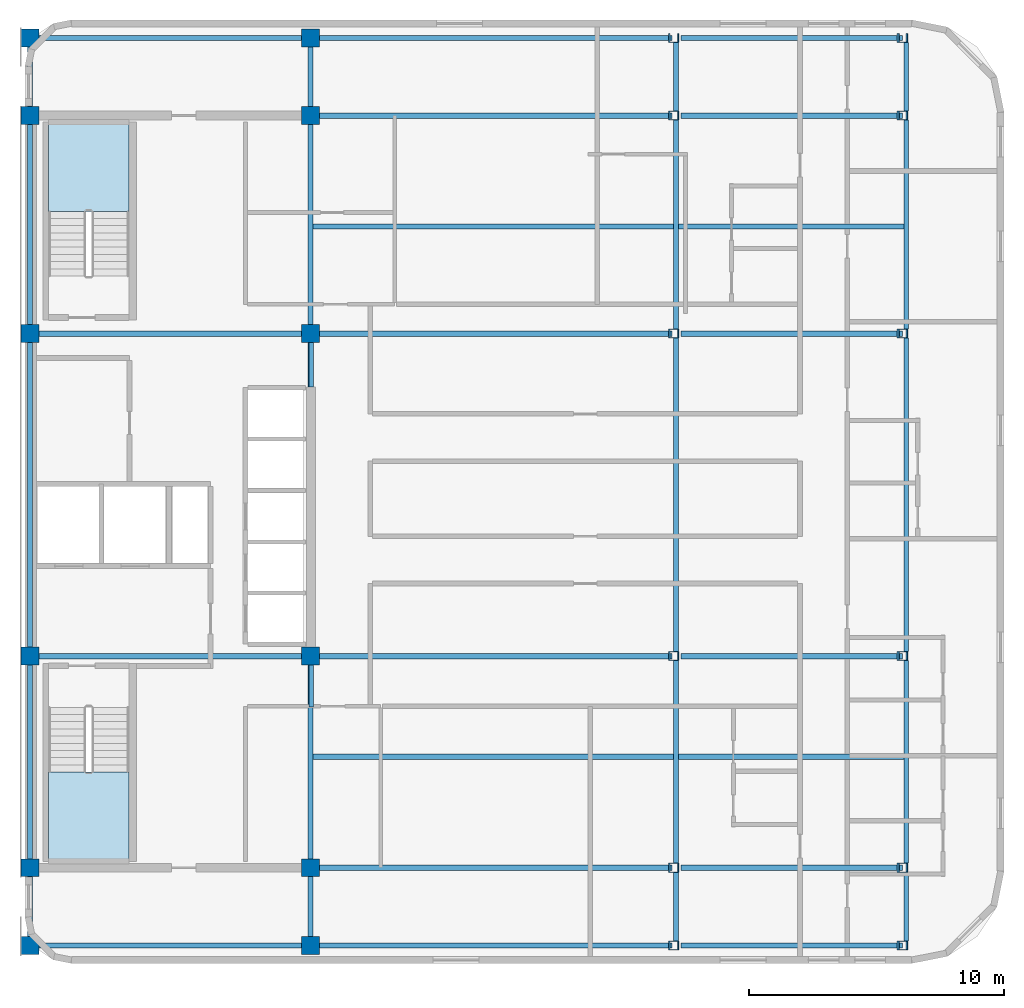
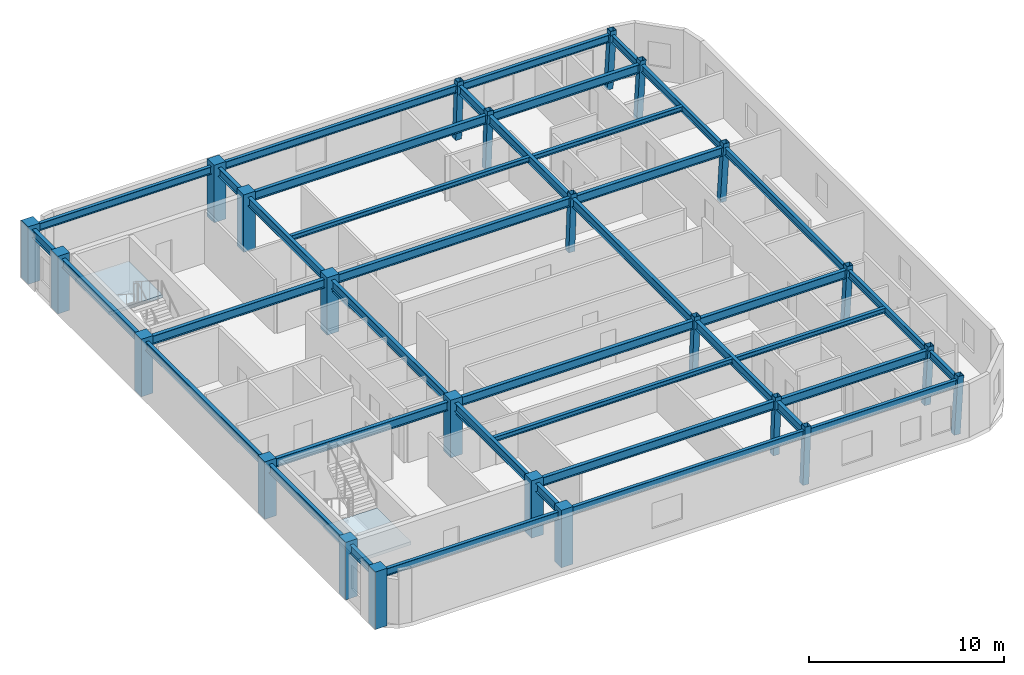
# One storey, part 1 of 6: 42 beams, 24 columns, 2 slabs, 2 elements without a shape of their own.
"""IFC4 building model written with IfcOpenShell, lengths in metres."""

from ifc_helpers import new_model, si_unit, direction, frame, origin, origin_2d, place, context, subcontext, project, spatial, polyline, rectangle, hollow_rectangle, i_section, outline, extrude, material, layer, layer_set, material_profile, profile_set, type_object, element, aggregate, save


model = new_model("IFC4")

# Units and contexts
model_context = context("Model", 3, precision=1e-05, world=origin(), true_north=direction((0.0, 1.0)))
body_context = subcontext(model_context, "Body", "Model", "MODEL_VIEW")
ifc_project = project(units=[si_unit("LENGTHUNIT", "METRE"), si_unit("AREAUNIT", "SQUARE_METRE"), si_unit("VOLUMEUNIT", "CUBIC_METRE"), si_unit("PLANEANGLEUNIT", "RADIAN"), si_unit("MASSUNIT", "GRAM", prefix="KILO")], contexts=[model_context])

# Site, building, storey
site_placement = place(None, origin())
site = spatial("IfcSite", under=ifc_project, at=site_placement, CompositionType="ELEMENT")
building_placement = place(site_placement, origin())
building = spatial("IfcBuilding", under=site, at=building_placement, Name="Ochreholt Gables", CompositionType="ELEMENT")
storey_placement = place(building_placement, frame((0.0, 0.0, 271.199951171875)))
storey = spatial("IfcBuildingStorey", under=building, at=storey_placement, Name="L71", CompositionType="ELEMENT", Elevation=271.199951171875)

# Columns
ifc_material_1 = material(Name="Steel CSA G40.21 350W", Category="steel")
ifc_material_profile_1 = material_profile(ifc_material_1, hollow_rectangle(XDim=0.35595703125, YDim=0.35595703125, WallThickness=0.01611328125, at=origin_2d()), Name="HSS356X356X16")
ifc_profile_set_1 = profile_set([ifc_material_profile_1], Name="Steel CSA G40.21 350W")
column_type_1 = type_object("IfcColumnType", Name="COL-HSS356-RAK", PredefinedType="COLUMN", material=ifc_profile_set_1)
for number, where, z_axis, x_axis, name in (
    (1, (49.427978515625, 9.25, 0.0), (0.034971136209, 0.0, 0.999388322742), (0.0, 1.0, 0.0), "L71 Column EMY2"),
    (2, (49.427978515625, 17.550048828125, 0.0), (0.034971136209, 0.0, 0.999388322742), (0.0, 1.0, 0.0), "L71 Column EMY3"),
    (3, (49.427978515625, 30.199951171875, 0.0), (0.034971136209, 0.0, 0.999388322742), (0.0, 1.0, 0.0), "L71 Column EMY4"),
    (4, (49.427978515625, 38.75, 0.0), (0.034971136209, 0.0, 0.999388322742), (0.0, 1.0, 0.0), "L71 Column EMY5"),
):
    element("IfcColumn", number, at=place(storey_placement, frame(where, z_axis=z_axis, x_axis=x_axis)), inside=storey, type_object=column_type_1, Name=name, PredefinedType="COLUMN", context=body_context, shape_type="SweptSolid", body=[
        extrude(hollow_rectangle(XDim=0.35595703125, YDim=0.35595703125, WallThickness=0.01611328125, at=origin_2d()), origin(), (0.0, 0.0, 1.0), 3.602294921875),
    ])
ifc_material_profile_2 = material_profile(ifc_material_1, hollow_rectangle(XDim=0.35595703125, YDim=0.35595703125, WallThickness=0.01611328125, at=origin_2d()), Name="HSS356X356X16")
ifc_profile_set_2 = profile_set([ifc_material_profile_2], Name="Steel CSA G40.21 350W")
column_type_2 = type_object("IfcColumnType", Name="COL-HSS356-RAKE", PredefinedType="COLUMN", material=ifc_profile_set_2)
for number, where, z_axis, x_axis, name in (
    (5, (49.427978515625, 6.199951171875, 0.0), (0.034971136209, 0.0, 0.999388322742), (0.0, 1.0, 0.0), "L71 Column EMY1"),
    (6, (49.427978515625, 41.800048828125, 0.0), (0.034971136209, 0.0, 0.999388322742), (0.0, 1.0, 0.0), "L71 Column EMY6"),
):
    element("IfcColumn", number, at=place(storey_placement, frame(where, z_axis=z_axis, x_axis=x_axis)), inside=storey, type_object=column_type_2, Name=name, PredefinedType="COLUMN", context=body_context, shape_type="SweptSolid", body=[
        extrude(hollow_rectangle(XDim=0.35595703125, YDim=0.35595703125, WallThickness=0.01611328125, at=origin_2d()), origin(), (0.0, 0.0, 1.0), 3.602294921875),
    ])
for number, where, z_axis, x_axis, name in (
    (7, (58.386474609375, 6.199951171875, 0.0), (0.057884606321, 0.0, 0.998323280481), (0.0, 1.0, 0.0), "L71 Column EEY1"),
    (8, (58.386474609375, 9.25, 0.0), (0.057884606321, 0.0, 0.998323280481), (0.0, 1.0, 0.0), "L71 Column EEY2"),
    (9, (58.386474609375, 17.550048828125, 0.0), (0.057884606321, 0.0, 0.998323280481), (0.0, 1.0, 0.0), "L71 Column EEY3"),
    (10, (58.386474609375, 30.199951171875, 0.0), (0.057884606321, 0.0, 0.998323280481), (0.0, 1.0, 0.0), "L71 Column EEY4"),
    (11, (58.386474609375, 38.75, 0.0), (0.057884606321, 0.0, 0.998323280481), (0.0, 1.0, 0.0), "L71 Column EEY5"),
    (12, (58.386474609375, 41.800048828125, 0.0), (0.057884606321, 0.0, 0.998323280481), (0.0, 1.0, 0.0), "L71 Column EEY6"),
):
    element("IfcColumn", number, at=place(storey_placement, frame(where, z_axis=z_axis, x_axis=x_axis)), inside=storey, type_object=column_type_2, Name=name, PredefinedType="COLUMN", context=body_context, shape_type="SweptSolid", body=[
        extrude(hollow_rectangle(XDim=0.35595703125, YDim=0.35595703125, WallThickness=0.01611328125, at=origin_2d()), origin(), (0.0, 0.0, 1.0), 3.606201171875),
    ])
ifc_material_2 = material(Name="Concrete 50 MPa", Category="concrete")
ifc_material_profile_3 = material_profile(ifc_material_2, rectangle(XDim=0.699951171875, YDim=0.699951171875, at=origin_2d()), Name="RC700X700")
ifc_profile_set_3 = profile_set([ifc_material_profile_3], Name="Concrete 50 MPa")
column_type_3 = type_object("IfcColumnType", Name="COL-RC700-EXT", PredefinedType="COLUMN", material=ifc_profile_set_3)
for number, where, z_axis, x_axis, name in (
    (13, (24.199951171875, 6.199951171875, 0.0), (0.0, 0.0, 1.0), (1.0, 0.0, 0.0), "L71 Column C1Y1"),
    (14, (24.199951171875, 9.25, 0.0), (0.0, 0.0, 1.0), (1.0, 0.0, 0.0), "L71 Column C1Y2"),
    (15, (24.199951171875, 17.550048828125, 0.0), (0.0, 0.0, 1.0), (1.0, 0.0, 0.0), "L71 Column C1Y3"),
    (16, (24.199951171875, 30.199951171875, 0.0), (0.0, 0.0, 1.0), (1.0, 0.0, 0.0), "L71 Column C1Y4"),
    (17, (24.199951171875, 38.75, 0.0), (0.0, 0.0, 1.0), (1.0, 0.0, 0.0), "L71 Column C1Y5"),
    (18, (24.199951171875, 41.800048828125, 0.0), (0.0, 0.0, 1.0), (1.0, 0.0, 0.0), "L71 Column C1Y6"),
    (19, (35.199951171875, 6.199951171875, 0.0), (0.0, 0.0, 1.0), (1.0, 0.0, 0.0), "L71 Column C2Y1"),
    (20, (35.199951171875, 41.800048828125, 0.0), (0.0, 0.0, 1.0), (1.0, 0.0, 0.0), "L71 Column C2Y6"),
):
    element("IfcColumn", number, at=place(storey_placement, frame(where, z_axis=z_axis, x_axis=x_axis)), inside=storey, type_object=column_type_3, Name=name, PredefinedType="COLUMN", context=body_context, shape_type="SweptSolid", body=[
        extrude(rectangle(XDim=0.699951171875, YDim=0.699951171875, at=origin_2d()), origin(), (0.0, 0.0, 1.0), 3.60009765625),
    ])
ifc_material_profile_4 = material_profile(ifc_material_2, rectangle(XDim=0.699951171875, YDim=0.699951171875, at=origin_2d()), Name="RC700X700")
ifc_profile_set_4 = profile_set([ifc_material_profile_4], Name="Concrete 50 MPa")
column_type_4 = type_object("IfcColumnType", Name="COL-RC700-INT", PredefinedType="COLUMN", material=ifc_profile_set_4)
for number, where, z_axis, x_axis, name in (
    (21, (35.199951171875, 9.25, 0.0), (0.0, 0.0, 1.0), (1.0, 0.0, 0.0), "L71 Column C2Y2"),
    (22, (35.199951171875, 17.550048828125, 0.0), (0.0, 0.0, 1.0), (1.0, 0.0, 0.0), "L71 Column C2Y3"),
    (23, (35.199951171875, 30.199951171875, 0.0), (0.0, 0.0, 1.0), (1.0, 0.0, 0.0), "L71 Column C2Y4"),
    (24, (35.199951171875, 38.75, 0.0), (0.0, 0.0, 1.0), (1.0, 0.0, 0.0), "L71 Column C2Y5"),
):
    element("IfcColumn", number, at=place(storey_placement, frame(where, z_axis=z_axis, x_axis=x_axis)), inside=storey, type_object=column_type_4, Name=name, PredefinedType="COLUMN", context=body_context, shape_type="SweptSolid", body=[
        extrude(rectangle(XDim=0.699951171875, YDim=0.699951171875, at=origin_2d()), origin(), (0.0, 0.0, 1.0), 3.60009765625),
    ])

# Beams
ifc_material_profile_5 = material_profile(ifc_material_1, i_section(OverallWidth=0.2109375, OverallDepth=0.5390625, WebThickness=0.01171875, FlangeThickness=0.018798828125, at=origin_2d()), Name="W530X109")
ifc_profile_set_5 = profile_set([ifc_material_profile_5], Name="Steel CSA G40.21 350W")
beam_type_1 = type_object("IfcBeamType", Name="BM-G-W530A", PredefinedType="BEAM", material=ifc_profile_set_5)
beam_1_placement = place(storey_placement, frame((35.549560546875, 9.25, 3.090576171875), z_axis=(1.0, 0.0, 0.0), x_axis=(0.0, 1.0, 0.0)))
element("IfcBeam", 25, at=beam_1_placement, inside=storey, type_object=beam_type_1, Name="L71 Beam TBG-L71-C2EM-Y2", PredefinedType="BEAM", context=body_context, shape_type="SweptSolid", body=[
    extrude(i_section(OverallWidth=0.2109375, OverallDepth=0.5390625, WebThickness=0.01171875, FlangeThickness=0.018798828125, at=origin_2d()), origin(), (0.0, 0.0, 1.0), 13.826904296875),
])
beam_2_placement = place(storey_placement, frame((49.731689453125, 9.25, 3.090576171875), z_axis=(1.0, 0.0, 0.0), x_axis=(0.0, 1.0, 0.0)))
element("IfcBeam", 26, at=beam_2_placement, inside=storey, type_object=beam_type_1, Name="L71 Beam TBG-L71-EMEE-Y2", PredefinedType="BEAM", context=body_context, shape_type="SweptSolid", body=[
    extrude(i_section(OverallWidth=0.2109375, OverallDepth=0.5390625, WebThickness=0.01171875, FlangeThickness=0.018798828125, at=origin_2d()), origin(), (0.0, 0.0, 1.0), 8.685791015625),
])
beam_3_placement = place(storey_placement, frame((24.549560546875, 17.550048828125, 3.090576171875), z_axis=(1.0, 0.0, 0.0), x_axis=(0.0, 1.0, 0.0)))
element("IfcBeam", 27, at=beam_3_placement, inside=storey, type_object=beam_type_1, Name="L71 Beam TBG-L71-C1C2-Y3", PredefinedType="BEAM", context=body_context, shape_type="SweptSolid", body=[
    extrude(i_section(OverallWidth=0.2109375, OverallDepth=0.5390625, WebThickness=0.01171875, FlangeThickness=0.018798828125, at=origin_2d()), origin(), (0.0, 0.0, 1.0), 10.30078125),
])
beam_4_placement = place(storey_placement, frame((35.549560546875, 17.550048828125, 3.090576171875), z_axis=(1.0, 0.0, 0.0), x_axis=(0.0, 1.0, 0.0)))
element("IfcBeam", 28, at=beam_4_placement, inside=storey, type_object=beam_type_1, Name="L71 Beam TBG-L71-C2EM-Y3", PredefinedType="BEAM", context=body_context, shape_type="SweptSolid", body=[
    extrude(i_section(OverallWidth=0.2109375, OverallDepth=0.5390625, WebThickness=0.01171875, FlangeThickness=0.018798828125, at=origin_2d()), origin(), (0.0, 0.0, 1.0), 13.826904296875),
])
beam_5_placement = place(storey_placement, frame((49.731689453125, 17.550048828125, 3.090576171875), z_axis=(1.0, 0.0, 0.0), x_axis=(0.0, 1.0, 0.0)))
element("IfcBeam", 29, at=beam_5_placement, inside=storey, type_object=beam_type_1, Name="L71 Beam TBG-L71-EMEE-Y3", PredefinedType="BEAM", context=body_context, shape_type="SweptSolid", body=[
    extrude(i_section(OverallWidth=0.2109375, OverallDepth=0.5390625, WebThickness=0.01171875, FlangeThickness=0.018798828125, at=origin_2d()), origin(), (0.0, 0.0, 1.0), 8.685791015625),
])
beam_6_placement = place(storey_placement, frame((24.549560546875, 30.199951171875, 3.090576171875), z_axis=(1.0, 0.0, 0.0), x_axis=(0.0, 1.0, 0.0)))
element("IfcBeam", 30, at=beam_6_placement, inside=storey, type_object=beam_type_1, Name="L71 Beam TBG-L71-C1C2-Y4", PredefinedType="BEAM", context=body_context, shape_type="SweptSolid", body=[
    extrude(i_section(OverallWidth=0.2109375, OverallDepth=0.5390625, WebThickness=0.01171875, FlangeThickness=0.018798828125, at=origin_2d()), origin(), (0.0, 0.0, 1.0), 10.30078125),
])
beam_7_placement = place(storey_placement, frame((35.549560546875, 30.199951171875, 3.090576171875), z_axis=(1.0, 0.0, 0.0), x_axis=(0.0, 1.0, 0.0)))
element("IfcBeam", 31, at=beam_7_placement, inside=storey, type_object=beam_type_1, Name="L71 Beam TBG-L71-C2EM-Y4", PredefinedType="BEAM", context=body_context, shape_type="SweptSolid", body=[
    extrude(i_section(OverallWidth=0.2109375, OverallDepth=0.5390625, WebThickness=0.01171875, FlangeThickness=0.018798828125, at=origin_2d()), origin(), (0.0, 0.0, 1.0), 13.826904296875),
])
beam_8_placement = place(storey_placement, frame((49.731689453125, 30.199951171875, 3.090576171875), z_axis=(1.0, 0.0, 0.0), x_axis=(0.0, 1.0, 0.0)))
element("IfcBeam", 32, at=beam_8_placement, inside=storey, type_object=beam_type_1, Name="L71 Beam TBG-L71-EMEE-Y4", PredefinedType="BEAM", context=body_context, shape_type="SweptSolid", body=[
    extrude(i_section(OverallWidth=0.2109375, OverallDepth=0.5390625, WebThickness=0.01171875, FlangeThickness=0.018798828125, at=origin_2d()), origin(), (0.0, 0.0, 1.0), 8.685791015625),
])
beam_9_placement = place(storey_placement, frame((35.549560546875, 38.75, 3.090576171875), z_axis=(1.0, 0.0, 0.0), x_axis=(0.0, 1.0, 0.0)))
element("IfcBeam", 33, at=beam_9_placement, inside=storey, type_object=beam_type_1, Name="L71 Beam TBG-L71-C2EM-Y5", PredefinedType="BEAM", context=body_context, shape_type="SweptSolid", body=[
    extrude(i_section(OverallWidth=0.2109375, OverallDepth=0.5390625, WebThickness=0.01171875, FlangeThickness=0.018798828125, at=origin_2d()), origin(), (0.0, 0.0, 1.0), 13.826904296875),
])
beam_10_placement = place(storey_placement, frame((49.731689453125, 38.75, 3.090576171875), z_axis=(1.0, 0.0, 0.0), x_axis=(0.0, 1.0, 0.0)))
element("IfcBeam", 34, at=beam_10_placement, inside=storey, type_object=beam_type_1, Name="L71 Beam TBG-L71-EMEE-Y5", PredefinedType="BEAM", context=body_context, shape_type="SweptSolid", body=[
    extrude(i_section(OverallWidth=0.2109375, OverallDepth=0.5390625, WebThickness=0.01171875, FlangeThickness=0.018798828125, at=origin_2d()), origin(), (0.0, 0.0, 1.0), 8.685791015625),
])
beam_11_placement = place(storey_placement, frame((24.199951171875, 6.549560546875, 3.090576171875), z_axis=(0.0, 1.0, 0.0), x_axis=(-1.0, 0.0, 0.0)))
element("IfcBeam", 35, at=beam_11_placement, inside=storey, type_object=beam_type_1, Name="L71 Beam TBN-L71-C1-Y1Y2", PredefinedType="BEAM", context=body_context, shape_type="SweptSolid", body=[
    extrude(i_section(OverallWidth=0.2109375, OverallDepth=0.5390625, WebThickness=0.01171875, FlangeThickness=0.018798828125, at=origin_2d()), origin(), (0.0, 0.0, 1.0), 2.350830078125),
])
beam_12_placement = place(storey_placement, frame((24.199951171875, 9.599609375, 3.090576171875), z_axis=(0.0, 1.0, 0.0), x_axis=(-1.0, 0.0, 0.0)))
element("IfcBeam", 36, at=beam_12_placement, inside=storey, type_object=beam_type_1, Name="L71 Beam TBN-L71-C1-Y2Y3", PredefinedType="BEAM", context=body_context, shape_type="SweptSolid", body=[
    extrude(i_section(OverallWidth=0.2109375, OverallDepth=0.5390625, WebThickness=0.01171875, FlangeThickness=0.018798828125, at=origin_2d()), origin(), (0.0, 0.0, 1.0), 7.600830078125),
])
beam_13_placement = place(storey_placement, frame((24.199951171875, 17.899658203125, 3.090576171875), z_axis=(0.0, 1.0, 0.0), x_axis=(-1.0, 0.0, 0.0)))
element("IfcBeam", 37, at=beam_13_placement, inside=storey, type_object=beam_type_1, Name="L71 Beam TBN-L71-C1-Y3Y4", PredefinedType="BEAM", context=body_context, shape_type="SweptSolid", body=[
    extrude(i_section(OverallWidth=0.2109375, OverallDepth=0.5390625, WebThickness=0.01171875, FlangeThickness=0.018798828125, at=origin_2d()), origin(), (0.0, 0.0, 1.0), 11.95068359375),
])
beam_14_placement = place(storey_placement, frame((24.199951171875, 30.549560546875, 3.090576171875), z_axis=(0.0, 1.0, 0.0), x_axis=(-1.0, 0.0, 0.0)))
element("IfcBeam", 38, at=beam_14_placement, inside=storey, type_object=beam_type_1, Name="L71 Beam TBN-L71-C1-Y4Y5", PredefinedType="BEAM", context=body_context, shape_type="SweptSolid", body=[
    extrude(i_section(OverallWidth=0.2109375, OverallDepth=0.5390625, WebThickness=0.01171875, FlangeThickness=0.018798828125, at=origin_2d()), origin(), (0.0, 0.0, 1.0), 7.850830078125),
])
for number, where, z_axis, x_axis, name in (
    (39, (24.199951171875, 39.099609375, 3.090576171875), (0.0, 1.0, 0.0), (-1.0, 0.0, 0.0), "L71 Beam TBN-L71-C1-Y5Y6"),
    (40, (35.199951171875, 6.549560546875, 3.090576171875), (0.0, 1.0, 0.0), (-1.0, 0.0, 0.0), "L71 Beam TBN-L71-C2-Y1Y2"),
):
    element("IfcBeam", number, at=place(storey_placement, frame(where, z_axis=z_axis, x_axis=x_axis)), inside=storey, type_object=beam_type_1, Name=name, PredefinedType="BEAM", context=body_context, shape_type="SweptSolid", body=[
        extrude(i_section(OverallWidth=0.2109375, OverallDepth=0.5390625, WebThickness=0.01171875, FlangeThickness=0.018798828125, at=origin_2d()), origin(), (0.0, 0.0, 1.0), 2.350830078125),
    ])
beam_15_placement = place(storey_placement, frame((35.199951171875, 9.599609375, 3.090576171875), z_axis=(0.0, 1.0, 0.0), x_axis=(-1.0, 0.0, 0.0)))
element("IfcBeam", 41, at=beam_15_placement, inside=storey, type_object=beam_type_1, Name="L71 Beam TBN-L71-C2-Y2Y3", PredefinedType="BEAM", context=body_context, shape_type="SweptSolid", body=[
    extrude(i_section(OverallWidth=0.2109375, OverallDepth=0.5390625, WebThickness=0.01171875, FlangeThickness=0.018798828125, at=origin_2d()), origin(), (0.0, 0.0, 1.0), 7.600830078125),
])
beam_16_placement = place(storey_placement, frame((35.199951171875, 17.899658203125, 3.090576171875), z_axis=(0.0, 1.0, 0.0), x_axis=(-1.0, 0.0, 0.0)))
element("IfcBeam", 42, at=beam_16_placement, inside=storey, type_object=beam_type_1, Name="L71 Beam TBN-L71-C2-Y3Y4", PredefinedType="BEAM", context=body_context, shape_type="SweptSolid", body=[
    extrude(i_section(OverallWidth=0.2109375, OverallDepth=0.5390625, WebThickness=0.01171875, FlangeThickness=0.018798828125, at=origin_2d()), origin(), (0.0, 0.0, 1.0), 11.95068359375),
])
beam_17_placement = place(storey_placement, frame((35.199951171875, 30.549560546875, 3.090576171875), z_axis=(0.0, 1.0, 0.0), x_axis=(-1.0, 0.0, 0.0)))
element("IfcBeam", 43, at=beam_17_placement, inside=storey, type_object=beam_type_1, Name="L71 Beam TBN-L71-C2-Y4Y5", PredefinedType="BEAM", context=body_context, shape_type="SweptSolid", body=[
    extrude(i_section(OverallWidth=0.2109375, OverallDepth=0.5390625, WebThickness=0.01171875, FlangeThickness=0.018798828125, at=origin_2d()), origin(), (0.0, 0.0, 1.0), 7.850830078125),
])
beam_18_placement = place(storey_placement, frame((35.199951171875, 39.099609375, 3.090576171875), z_axis=(0.0, 1.0, 0.0), x_axis=(-1.0, 0.0, 0.0)))
element("IfcBeam", 44, at=beam_18_placement, inside=storey, type_object=beam_type_1, Name="L71 Beam TBN-L71-C2-Y5Y6", PredefinedType="BEAM", context=body_context, shape_type="SweptSolid", body=[
    extrude(i_section(OverallWidth=0.2109375, OverallDepth=0.5390625, WebThickness=0.01171875, FlangeThickness=0.018798828125, at=origin_2d()), origin(), (0.0, 0.0, 1.0), 2.350830078125),
])
beam_19_placement = place(storey_placement, frame((49.536865234375, 6.377685546875, 3.090576171875), z_axis=(0.0, 1.0, 0.0), x_axis=(-1.0, 0.0, 0.0)))
element("IfcBeam", 45, at=beam_19_placement, inside=storey, type_object=beam_type_1, Name="L71 Beam TBN-L71-EM-Y1Y2", PredefinedType="BEAM", context=body_context, shape_type="SweptSolid", body=[
    extrude(i_section(OverallWidth=0.2109375, OverallDepth=0.5390625, WebThickness=0.01171875, FlangeThickness=0.018798828125, at=origin_2d()), origin(), (0.0, 0.0, 1.0), 2.69482421875),
])
beam_20_placement = place(storey_placement, frame((49.536865234375, 9.427490234375, 3.090576171875), z_axis=(0.0, 1.0, 0.0), x_axis=(-1.0, 0.0, 0.0)))
element("IfcBeam", 46, at=beam_20_placement, inside=storey, type_object=beam_type_1, Name="L71 Beam TBN-L71-EM-Y2Y3", PredefinedType="BEAM", context=body_context, shape_type="SweptSolid", body=[
    extrude(i_section(OverallWidth=0.2109375, OverallDepth=0.5390625, WebThickness=0.01171875, FlangeThickness=0.018798828125, at=origin_2d()), origin(), (0.0, 0.0, 1.0), 7.94482421875),
])
beam_21_placement = place(storey_placement, frame((49.536865234375, 17.7275390625, 3.090576171875), z_axis=(0.0, 1.0, 0.0), x_axis=(-1.0, 0.0, 0.0)))
element("IfcBeam", 47, at=beam_21_placement, inside=storey, type_object=beam_type_1, Name="L71 Beam TBN-L71-EM-Y3Y4", PredefinedType="BEAM", context=body_context, shape_type="SweptSolid", body=[
    extrude(i_section(OverallWidth=0.2109375, OverallDepth=0.5390625, WebThickness=0.01171875, FlangeThickness=0.018798828125, at=origin_2d()), origin(), (0.0, 0.0, 1.0), 12.294921875),
])
beam_22_placement = place(storey_placement, frame((49.536865234375, 30.377685546875, 3.090576171875), z_axis=(0.0, 1.0, 0.0), x_axis=(-1.0, 0.0, 0.0)))
element("IfcBeam", 48, at=beam_22_placement, inside=storey, type_object=beam_type_1, Name="L71 Beam TBN-L71-EM-Y4Y5", PredefinedType="BEAM", context=body_context, shape_type="SweptSolid", body=[
    extrude(i_section(OverallWidth=0.2109375, OverallDepth=0.5390625, WebThickness=0.01171875, FlangeThickness=0.018798828125, at=origin_2d()), origin(), (0.0, 0.0, 1.0), 8.19482421875),
])
beam_23_placement = place(storey_placement, frame((49.536865234375, 38.927490234375, 3.090576171875), z_axis=(0.0, 1.0, 0.0), x_axis=(-1.0, 0.0, 0.0)))
element("IfcBeam", 49, at=beam_23_placement, inside=storey, type_object=beam_type_1, Name="L71 Beam TBN-L71-EM-Y5Y6", PredefinedType="BEAM", context=body_context, shape_type="SweptSolid", body=[
    extrude(i_section(OverallWidth=0.2109375, OverallDepth=0.5390625, WebThickness=0.01171875, FlangeThickness=0.018798828125, at=origin_2d()), origin(), (0.0, 0.0, 1.0), 2.69482421875),
])
ifc_material_profile_6 = material_profile(ifc_material_1, i_section(OverallWidth=0.202880859375, OverallDepth=0.302978515625, WebThickness=0.007568359375, FlangeThickness=0.01318359375, at=origin_2d()), Name="W310X60")
ifc_profile_set_6 = profile_set([ifc_material_profile_6], Name="Steel CSA G40.21 350W")
beam_type_2 = type_object("IfcBeamType", Name="BM-J-W310", PredefinedType="JOIST", material=ifc_profile_set_6)
beam_24_placement = place(storey_placement, frame((35.30517578125, 13.60009765625, 3.20849609375), z_axis=(1.0, 0.0, 0.0), x_axis=(0.0, 1.0, 0.0)))
element("IfcBeam", 50, at=beam_24_placement, inside=storey, type_object=beam_type_2, Name="L71 Beam TBJ-L71-J1-C2EM", PredefinedType="JOIST", context=body_context, shape_type="SweptSolid", body=[
    extrude(i_section(OverallWidth=0.202880859375, OverallDepth=0.302978515625, WebThickness=0.007568359375, FlangeThickness=0.01318359375, at=origin_2d()), origin(), (0.0, 0.0, 1.0), 14.126708984375),
])
beam_25_placement = place(storey_placement, frame((49.64208984375, 13.60009765625, 3.20849609375), z_axis=(1.0, 0.0, 0.0), x_axis=(0.0, 1.0, 0.0)))
element("IfcBeam", 51, at=beam_25_placement, inside=storey, type_object=beam_type_2, Name="L71 Beam TBJ-L71-J1-EMEE", PredefinedType="JOIST", context=body_context, shape_type="SweptSolid", body=[
    extrude(i_section(OverallWidth=0.202880859375, OverallDepth=0.302978515625, WebThickness=0.007568359375, FlangeThickness=0.01318359375, at=origin_2d()), origin(), (0.0, 0.0, 1.0), 8.8291015625),
])
beam_26_placement = place(storey_placement, frame((35.30517578125, 34.39990234375, 3.20849609375), z_axis=(1.0, 0.0, 0.0), x_axis=(0.0, 1.0, 0.0)))
element("IfcBeam", 52, at=beam_26_placement, inside=storey, type_object=beam_type_2, Name="L71 Beam TBJ-L71-J2-C2EM", PredefinedType="JOIST", context=body_context, shape_type="SweptSolid", body=[
    extrude(i_section(OverallWidth=0.202880859375, OverallDepth=0.302978515625, WebThickness=0.007568359375, FlangeThickness=0.01318359375, at=origin_2d()), origin(), (0.0, 0.0, 1.0), 14.126708984375),
])
beam_27_placement = place(storey_placement, frame((49.64208984375, 34.39990234375, 3.20849609375), z_axis=(1.0, 0.0, 0.0), x_axis=(0.0, 1.0, 0.0)))
element("IfcBeam", 53, at=beam_27_placement, inside=storey, type_object=beam_type_2, Name="L71 Beam TBJ-L71-J2-EMEE", PredefinedType="JOIST", context=body_context, shape_type="SweptSolid", body=[
    extrude(i_section(OverallWidth=0.202880859375, OverallDepth=0.302978515625, WebThickness=0.007568359375, FlangeThickness=0.01318359375, at=origin_2d()), origin(), (0.0, 0.0, 1.0), 8.8291015625),
])
ifc_material_profile_7 = material_profile(ifc_material_1, i_section(OverallWidth=0.1650390625, OverallDepth=0.200927734375, WebThickness=0.006103515625, FlangeThickness=0.01025390625, at=origin_2d()), Name="W200X36")
ifc_profile_set_7 = profile_set([ifc_material_profile_7], Name="Steel CSA G40.21 350W")
beam_type_3 = type_object("IfcBeamType", Name="BM-LIN-W200", PredefinedType="LINTEL", material=ifc_profile_set_7)
beam_28_placement = place(storey_placement, frame((35.22509765625, 15.550048828125, 2.720458984375), z_axis=(0.0, 1.0, 0.0), x_axis=(-1.0, 0.0, 0.0)))
element("IfcBeam", 54, at=beam_28_placement, inside=storey, type_object=beam_type_3, Name="L71 Core Coupling Lintel CPS", PredefinedType="LINTEL", context=body_context, shape_type="SweptSolid", body=[
    extrude(i_section(OverallWidth=0.1650390625, OverallDepth=0.200927734375, WebThickness=0.006103515625, FlangeThickness=0.01025390625, at=origin_2d()), origin(), (0.0, 0.0, 1.0), 1.64990234375),
])
beam_29_placement = place(storey_placement, frame((35.22509765625, 28.10009765625, 2.720458984375), z_axis=(0.0, 1.0, 0.0), x_axis=(-1.0, 0.0, 0.0)))
element("IfcBeam", 55, at=beam_29_placement, inside=storey, type_object=beam_type_3, Name="L71 Core Coupling Lintel CPN", PredefinedType="LINTEL", context=body_context, shape_type="SweptSolid", body=[
    extrude(i_section(OverallWidth=0.1650390625, OverallDepth=0.200927734375, WebThickness=0.006103515625, FlangeThickness=0.01025390625, at=origin_2d()), origin(), (0.0, 0.0, 1.0), 1.75),
])
ifc_material_profile_8 = material_profile(ifc_material_1, i_section(OverallWidth=0.19189453125, OverallDepth=0.462890625, WebThickness=0.010498046875, FlangeThickness=0.017578125, at=origin_2d()), Name="W460X89")
ifc_profile_set_8 = profile_set([ifc_material_profile_8], Name="Steel CSA G40.21 350W")
beam_type_4 = type_object("IfcBeamType", Name="BM-SP-W460A", PredefinedType="SPANDREL", material=ifc_profile_set_8)
beam_30_placement = place(storey_placement, frame((24.549560546875, 6.199951171875, 3.128662109375), z_axis=(1.0, 0.0, 0.0), x_axis=(0.0, 1.0, 0.0)))
element("IfcBeam", 56, at=beam_30_placement, inside=storey, type_object=beam_type_4, Name="L71 Beam TBG-L71-C1C2-Y1", PredefinedType="SPANDREL", context=body_context, shape_type="SweptSolid", body=[
    extrude(i_section(OverallWidth=0.19189453125, OverallDepth=0.462890625, WebThickness=0.010498046875, FlangeThickness=0.017578125, at=origin_2d()), origin(), (0.0, 0.0, 1.0), 10.30078125),
])
beam_31_placement = place(storey_placement, frame((35.549560546875, 6.199951171875, 3.128662109375), z_axis=(1.0, 0.0, 0.0), x_axis=(0.0, 1.0, 0.0)))
element("IfcBeam", 57, at=beam_31_placement, inside=storey, type_object=beam_type_4, Name="L71 Beam TBG-L71-C2EM-Y1", PredefinedType="SPANDREL", context=body_context, shape_type="SweptSolid", body=[
    extrude(i_section(OverallWidth=0.19189453125, OverallDepth=0.462890625, WebThickness=0.010498046875, FlangeThickness=0.017578125, at=origin_2d()), origin(), (0.0, 0.0, 1.0), 13.826904296875),
])
beam_32_placement = place(storey_placement, frame((49.731689453125, 6.199951171875, 3.128662109375), z_axis=(1.0, 0.0, 0.0), x_axis=(0.0, 1.0, 0.0)))
element("IfcBeam", 58, at=beam_32_placement, inside=storey, type_object=beam_type_4, Name="L71 Beam TBG-L71-EMEE-Y1", PredefinedType="SPANDREL", context=body_context, shape_type="SweptSolid", body=[
    extrude(i_section(OverallWidth=0.19189453125, OverallDepth=0.462890625, WebThickness=0.010498046875, FlangeThickness=0.017578125, at=origin_2d()), origin(), (0.0, 0.0, 1.0), 8.685791015625),
])
beam_33_placement = place(storey_placement, frame((24.549560546875, 41.800048828125, 3.128662109375), z_axis=(1.0, 0.0, 0.0), x_axis=(0.0, 1.0, 0.0)))
element("IfcBeam", 59, at=beam_33_placement, inside=storey, type_object=beam_type_4, Name="L71 Beam TBG-L71-C1C2-Y6", PredefinedType="SPANDREL", context=body_context, shape_type="SweptSolid", body=[
    extrude(i_section(OverallWidth=0.19189453125, OverallDepth=0.462890625, WebThickness=0.010498046875, FlangeThickness=0.017578125, at=origin_2d()), origin(), (0.0, 0.0, 1.0), 10.30078125),
])
beam_34_placement = place(storey_placement, frame((35.549560546875, 41.800048828125, 3.128662109375), z_axis=(1.0, 0.0, 0.0), x_axis=(0.0, 1.0, 0.0)))
element("IfcBeam", 60, at=beam_34_placement, inside=storey, type_object=beam_type_4, Name="L71 Beam TBG-L71-C2EM-Y6", PredefinedType="SPANDREL", context=body_context, shape_type="SweptSolid", body=[
    extrude(i_section(OverallWidth=0.19189453125, OverallDepth=0.462890625, WebThickness=0.010498046875, FlangeThickness=0.017578125, at=origin_2d()), origin(), (0.0, 0.0, 1.0), 13.826904296875),
])
beam_35_placement = place(storey_placement, frame((49.731689453125, 41.800048828125, 3.128662109375), z_axis=(1.0, 0.0, 0.0), x_axis=(0.0, 1.0, 0.0)))
element("IfcBeam", 61, at=beam_35_placement, inside=storey, type_object=beam_type_4, Name="L71 Beam TBG-L71-EMEE-Y6", PredefinedType="SPANDREL", context=body_context, shape_type="SweptSolid", body=[
    extrude(i_section(OverallWidth=0.19189453125, OverallDepth=0.462890625, WebThickness=0.010498046875, FlangeThickness=0.017578125, at=origin_2d()), origin(), (0.0, 0.0, 1.0), 8.685791015625),
])
beam_36_placement = place(storey_placement, frame((58.56689453125, 6.377685546875, 3.128662109375), z_axis=(0.0, 1.0, 0.0), x_axis=(-1.0, 0.0, 0.0)))
element("IfcBeam", 62, at=beam_36_placement, inside=storey, type_object=beam_type_4, Name="L71 Beam TBN-L71-EE-Y1Y2", PredefinedType="SPANDREL", context=body_context, shape_type="SweptSolid", body=[
    extrude(i_section(OverallWidth=0.19189453125, OverallDepth=0.462890625, WebThickness=0.010498046875, FlangeThickness=0.017578125, at=origin_2d()), origin(), (0.0, 0.0, 1.0), 2.69482421875),
])
beam_37_placement = place(storey_placement, frame((58.56689453125, 9.427490234375, 3.128662109375), z_axis=(0.0, 1.0, 0.0), x_axis=(-1.0, 0.0, 0.0)))
element("IfcBeam", 63, at=beam_37_placement, inside=storey, type_object=beam_type_4, Name="L71 Beam TBN-L71-EE-Y2Y3", PredefinedType="SPANDREL", context=body_context, shape_type="SweptSolid", body=[
    extrude(i_section(OverallWidth=0.19189453125, OverallDepth=0.462890625, WebThickness=0.010498046875, FlangeThickness=0.017578125, at=origin_2d()), origin(), (0.0, 0.0, 1.0), 7.94482421875),
])
beam_38_placement = place(storey_placement, frame((58.56689453125, 17.7275390625, 3.128662109375), z_axis=(0.0, 1.0, 0.0), x_axis=(-1.0, 0.0, 0.0)))
element("IfcBeam", 64, at=beam_38_placement, inside=storey, type_object=beam_type_4, Name="L71 Beam TBN-L71-EE-Y3Y4", PredefinedType="SPANDREL", context=body_context, shape_type="SweptSolid", body=[
    extrude(i_section(OverallWidth=0.19189453125, OverallDepth=0.462890625, WebThickness=0.010498046875, FlangeThickness=0.017578125, at=origin_2d()), origin(), (0.0, 0.0, 1.0), 12.294921875),
])
beam_39_placement = place(storey_placement, frame((58.56689453125, 30.377685546875, 3.128662109375), z_axis=(0.0, 1.0, 0.0), x_axis=(-1.0, 0.0, 0.0)))
element("IfcBeam", 65, at=beam_39_placement, inside=storey, type_object=beam_type_4, Name="L71 Beam TBN-L71-EE-Y4Y5", PredefinedType="SPANDREL", context=body_context, shape_type="SweptSolid", body=[
    extrude(i_section(OverallWidth=0.19189453125, OverallDepth=0.462890625, WebThickness=0.010498046875, FlangeThickness=0.017578125, at=origin_2d()), origin(), (0.0, 0.0, 1.0), 8.19482421875),
])
beam_40_placement = place(storey_placement, frame((58.56689453125, 38.927490234375, 3.128662109375), z_axis=(0.0, 1.0, 0.0), x_axis=(-1.0, 0.0, 0.0)))
element("IfcBeam", 66, at=beam_40_placement, inside=storey, type_object=beam_type_4, Name="L71 Beam TBN-L71-EE-Y5Y6", PredefinedType="SPANDREL", context=body_context, shape_type="SweptSolid", body=[
    extrude(i_section(OverallWidth=0.19189453125, OverallDepth=0.462890625, WebThickness=0.010498046875, FlangeThickness=0.017578125, at=origin_2d()), origin(), (0.0, 0.0, 1.0), 2.69482421875),
])

# Stair, slab
ifc_material_3 = material(Name="Concrete 40 MPa", Category="concrete")
stair_type_1 = type_object("IfcStairType", Name="STAIR-CORE-ST-1", PredefinedType="HALF_TURN_STAIR", material=ifc_material_3)
stair_1_placement = place(storey_placement, origin())
stair_1 = element("IfcStair", 67, at=stair_1_placement, inside=storey, type_object=stair_type_1, Name="L71 Core Exit Stair 1", PredefinedType="HALF_TURN_STAIR")
ifc_layer = layer(ifc_material_3, 0.199951171875, Name="Concrete 40 MPa")
ifc_layer_set = layer_set([ifc_layer], Name="Concrete 40 MPa")
slab_type = type_object("IfcSlabType", Name="LANDING-RC200", PredefinedType="LANDING", material=ifc_layer_set)
slab_1_placement = place(storey_placement, frame((0.0, 0.0, 1.60009765625)))
slab_1 = element("IfcSlab", 68, at=slab_1_placement, type_object=slab_type, Name="ST-1 landing 1", PredefinedType="LANDING", context=body_context, shape_type="SweptSolid", body=[
    extrude(outline(polyline([(24.919921875, 13.001953125), (24.919921875, 9.52001953125), (28.080078125, 9.52001953125), (28.080078125, 13.001953125), (24.919921875, 13.001953125)])), origin(), (0.0, 0.0, 1.0), 0.199951171875),
])
aggregate(stair_1, [slab_1])

stair_type_2 = type_object("IfcStairType", Name="STAIR-CORE-ST-2", PredefinedType="HALF_TURN_STAIR", material=ifc_material_3)
stair_2_placement = place(storey_placement, origin())
stair_2 = element("IfcStair", 69, at=stair_2_placement, inside=storey, type_object=stair_type_2, Name="L71 Core Exit Stair 2", PredefinedType="HALF_TURN_STAIR")
slab_2_placement = place(storey_placement, frame((0.0, 0.0, 1.60009765625)))
slab_2 = element("IfcSlab", 70, at=slab_2_placement, type_object=slab_type, Name="ST-2 landing 1", PredefinedType="LANDING", context=body_context, shape_type="SweptSolid", body=[
    extrude(outline(polyline([(28.080078125, 34.998046875), (28.080078125, 38.47998046875), (24.919921875, 38.47998046875), (24.919921875, 34.998046875), (28.080078125, 34.998046875)])), origin(), (0.0, 0.0, 1.0), 0.199951171875),
])
aggregate(stair_2, [slab_2])

save(model, "model.ifc")
